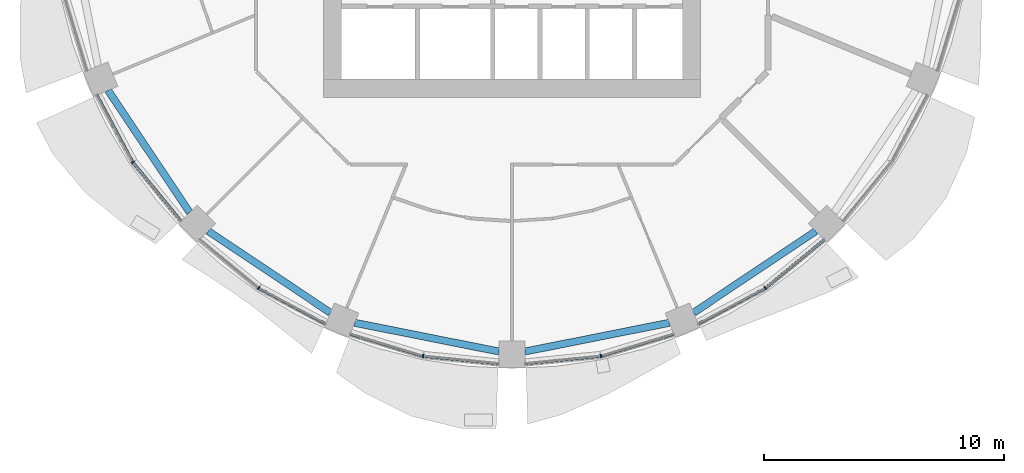
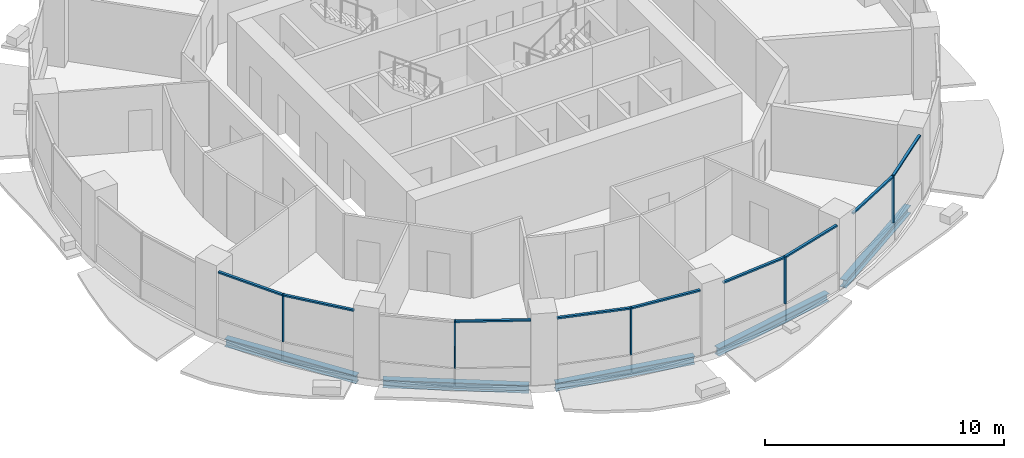
# One storey, part 2 of 14: 14 members, 5 beams, 5 elements without a shape of their own.
"""IFC4 building model written with IfcOpenShell, lengths in metres."""

from ifc_helpers import new_model, si_unit, direction, frame, origin, origin_2d, place, context, subcontext, project, spatial, rectangle, i_section, extrude, material, material_profile, profile_set, type_object, element, aggregate, save


model = new_model("IFC4")

# Units and contexts
model_context = context("Model", 3, precision=1e-05, world=origin(), true_north=direction((0.0, 1.0)))
body_context = subcontext(model_context, "Body", "Model", "MODEL_VIEW")
ifc_project = project(units=[si_unit("LENGTHUNIT", "METRE"), si_unit("AREAUNIT", "SQUARE_METRE"), si_unit("VOLUMEUNIT", "CUBIC_METRE"), si_unit("PLANEANGLEUNIT", "RADIAN"), si_unit("MASSUNIT", "GRAM", prefix="KILO")], contexts=[model_context])

# Site, building, storey
site_placement = place(None, origin())
site = spatial("IfcSite", under=ifc_project, at=site_placement, CompositionType="ELEMENT")
building_placement = place(site_placement, origin())
building = spatial("IfcBuilding", under=site, at=building_placement, Name="Polderwave Tower", CompositionType="ELEMENT")
storey_placement = place(building_placement, frame((0.0, 0.0, 105.60009765625)))
storey = spatial("IfcBuildingStorey", under=building, at=storey_placement, Name="L27", CompositionType="ELEMENT", Elevation=105.60009765625)

# Curtain wall, member
ifc_material_1 = material(Name="Aluminium 6063-T6 and glass", Category="aluminium")
curtain_wall_type = type_object("IfcCurtainWallType", Name="Growing floor ribbon glazing wall", PredefinedType="NOTDEFINED", material=ifc_material_1)
curtain_wall_1_placement = place(storey_placement, origin())
curtain_wall_1 = element("IfcCurtainWall", 1, at=curtain_wall_1_placement, inside=storey, type_object=curtain_wall_type, Name="CW2 L27 09", PredefinedType="NOTDEFINED")
ifc_material_2 = material(Name="Aluminium 6063-T6", Category="aluminium")
ifc_material_profile_1 = material_profile(ifc_material_2, rectangle(XDim=0.14990234375, YDim=0.06005859375, at=origin_2d()), Name="AL 60x150")
ifc_profile_set_1 = profile_set([ifc_material_profile_1], Name="Aluminium 6063-T6")
member_type_1 = type_object("IfcMemberType", Name="Growing floor ribbon glazing mullion 60x150", PredefinedType="MULLION", material=ifc_profile_set_1)
member_1_placement = place(storey_placement, frame((-15.822998046875, -10.572998046875, 0.89990234375), z_axis=(0.0, 0.0, 1.0), x_axis=(0.831459915646, 0.555584744817, 0.0)))
member_1 = element("IfcMember", 2, at=member_1_placement, type_object=member_type_1, Name="CW2 mullion 1", PredefinedType="MULLION", context=body_context, shape_type="SweptSolid", body=[
    extrude(rectangle(XDim=0.14990234375, YDim=0.06005859375, at=origin_2d()), origin(), (0.0, 0.0, 1.0), 2.39990234375),
])

curtain_wall_2_placement = place(storey_placement, origin())
curtain_wall_2 = element("IfcCurtainWall", 3, at=curtain_wall_2_placement, inside=storey, type_object=curtain_wall_type, Name="CW2 L27 10", PredefinedType="NOTDEFINED")
member_2_placement = place(storey_placement, frame((-10.572998046875, -15.822998046875, 0.89990234375), z_axis=(0.0, 0.0, 1.0), x_axis=(0.555584744817, 0.831459915646, 0.0)))
member_2 = element("IfcMember", 4, at=member_2_placement, type_object=member_type_1, Name="CW2 mullion 1", PredefinedType="MULLION", context=body_context, shape_type="SweptSolid", body=[
    extrude(rectangle(XDim=0.14990234375, YDim=0.06005859375, at=origin_2d()), origin(), (0.0, 0.0, 1.0), 2.39990234375),
])

curtain_wall_3_placement = place(storey_placement, origin())
curtain_wall_3 = element("IfcCurtainWall", 5, at=curtain_wall_3_placement, inside=storey, type_object=curtain_wall_type, Name="CW2 L27 11", PredefinedType="NOTDEFINED")
member_3_placement = place(storey_placement, frame((-3.712890625, -18.6640625, 0.89990234375), z_axis=(0.0, 0.0, 1.0), x_axis=(0.195092033809, 0.980784939905, 0.0)))
member_3 = element("IfcMember", 6, at=member_3_placement, type_object=member_type_1, Name="CW2 mullion 1", PredefinedType="MULLION", context=body_context, shape_type="SweptSolid", body=[
    extrude(rectangle(XDim=0.14990234375, YDim=0.06005859375, at=origin_2d()), origin(), (0.0, 0.0, 1.0), 2.39990234375),
])

curtain_wall_4_placement = place(storey_placement, origin())
curtain_wall_4 = element("IfcCurtainWall", 7, at=curtain_wall_4_placement, inside=storey, type_object=curtain_wall_type, Name="CW2 L27 12", PredefinedType="NOTDEFINED")
member_4_placement = place(storey_placement, frame((3.712890625, -18.6640625, 0.89990234375), z_axis=(0.0, 0.0, 1.0), x_axis=(-0.195092033809, 0.980784939905, 0.0)))
member_4 = element("IfcMember", 8, at=member_4_placement, type_object=member_type_1, Name="CW2 mullion 1", PredefinedType="MULLION", context=body_context, shape_type="SweptSolid", body=[
    extrude(rectangle(XDim=0.14990234375, YDim=0.06005859375, at=origin_2d()), origin(), (0.0, 0.0, 1.0), 2.39990234375),
])

curtain_wall_5_placement = place(storey_placement, origin())
curtain_wall_5 = element("IfcCurtainWall", 9, at=curtain_wall_5_placement, inside=storey, type_object=curtain_wall_type, Name="CW2 L27 13", PredefinedType="NOTDEFINED")
member_5_placement = place(storey_placement, frame((10.572998046875, -15.822998046875, 0.89990234375), z_axis=(0.0, 0.0, 1.0), x_axis=(-0.555584744817, 0.831459915646, 0.0)))
member_5 = element("IfcMember", 10, at=member_5_placement, type_object=member_type_1, Name="CW2 mullion 1", PredefinedType="MULLION", context=body_context, shape_type="SweptSolid", body=[
    extrude(rectangle(XDim=0.14990234375, YDim=0.06005859375, at=origin_2d()), origin(), (0.0, 0.0, 1.0), 2.39990234375),
])

# Member
ifc_material_profile_2 = material_profile(ifc_material_2, rectangle(XDim=0.1201171875, YDim=0.080078125, at=origin_2d()), Name="AL 80x120")
ifc_profile_set_2 = profile_set([ifc_material_profile_2], Name="Aluminium 6063-T6")
member_type_2 = type_object("IfcMemberType", Name="Growing floor ribbon glazing transom 80x120", PredefinedType="USERDEFINED", material=ifc_profile_set_2)
member_6_placement = place(storey_placement, frame((-17.321044921875, -7.77001953125, 3.260009765625), z_axis=(0.471368950997, -0.88193611562, 0.0), x_axis=(0.88193611562, 0.471368950997, 0.0)))
member_6 = element("IfcMember", 11, at=member_6_placement, type_object=member_type_2, Name="CW2 transom 1", ObjectType="TRANSOM", PredefinedType="USERDEFINED", context=body_context, shape_type="SweptSolid", body=[
    extrude(rectangle(XDim=0.1201171875, YDim=0.080078125, at=origin_2d()), origin(), (0.0, 0.0, 1.0), 3.14794921875),
])

member_7_placement = place(storey_placement, frame((-15.803955078125, -10.59619140625, 3.260009765625), z_axis=(0.634483003965, -0.77293681351, 0.0), x_axis=(0.77293681351, 0.634483003965, 0.0)))
member_7 = element("IfcMember", 12, at=member_7_placement, type_object=member_type_2, Name="CW2 transom 2", ObjectType="TRANSOM", PredefinedType="USERDEFINED", context=body_context, shape_type="SweptSolid", body=[
    extrude(rectangle(XDim=0.1201171875, YDim=0.080078125, at=origin_2d()), origin(), (0.0, 0.0, 1.0), 3.1474609375),
])

aggregate(curtain_wall_1, [member_1, member_6, member_7])

member_8_placement = place(storey_placement, frame((-10.54638671875, -15.837158203125, 3.260009765625), z_axis=(0.88193611562, -0.471368950997, 0.0), x_axis=(0.471368950997, 0.88193611562, 0.0)))
member_8 = element("IfcMember", 13, at=member_8_placement, type_object=member_type_2, Name="CW2 transom 2", ObjectType="TRANSOM", PredefinedType="USERDEFINED", context=body_context, shape_type="SweptSolid", body=[
    extrude(rectangle(XDim=0.1201171875, YDim=0.080078125, at=origin_2d()), origin(), (0.0, 0.0, 1.0), 3.14794921875),
])

aggregate(curtain_wall_2, [member_2, member_8])

member_9_placement = place(storey_placement, frame((-6.75390625, -17.741943359375, 3.260009765625), z_axis=(0.956976770627, -0.290164540356, 0.0), x_axis=(0.290164540356, 0.956976770627, 0.0)))
member_9 = element("IfcMember", 14, at=member_9_placement, type_object=member_type_2, Name="CW2 transom 1", ObjectType="TRANSOM", PredefinedType="USERDEFINED", context=body_context, shape_type="SweptSolid", body=[
    extrude(rectangle(XDim=0.1201171875, YDim=0.080078125, at=origin_2d()), origin(), (0.0, 0.0, 1.0), 3.147705078125),
])

member_10_placement = place(storey_placement, frame((-3.68310546875, -18.6669921875, 3.260009765625), z_axis=(0.995169132792, -0.098175338745, 0.0), x_axis=(0.098175338745, 0.995169132792, 0.0)))
member_10 = element("IfcMember", 15, at=member_10_placement, type_object=member_type_2, Name="CW2 transom 2", ObjectType="TRANSOM", PredefinedType="USERDEFINED", context=body_context, shape_type="SweptSolid", body=[
    extrude(rectangle(XDim=0.1201171875, YDim=0.080078125, at=origin_2d()), origin(), (0.0, 0.0, 1.0), 3.148193359375),
])

aggregate(curtain_wall_3, [member_3, member_9, member_10])

member_11_placement = place(storey_placement, frame((0.550048828125, -18.97607421875, 3.260009765625), z_axis=(0.995169132792, 0.098175338745, 0.0), x_axis=(-0.098175338745, 0.995169132792, 0.0)))
member_11 = element("IfcMember", 16, at=member_11_placement, type_object=member_type_2, Name="CW2 transom 1", ObjectType="TRANSOM", PredefinedType="USERDEFINED", context=body_context, shape_type="SweptSolid", body=[
    extrude(rectangle(XDim=0.1201171875, YDim=0.080078125, at=origin_2d()), origin(), (0.0, 0.0, 1.0), 3.148193359375),
])

member_12_placement = place(storey_placement, frame((3.74169921875, -18.6552734375, 3.260009765625), z_axis=(0.956976770627, 0.290164540356, 0.0), x_axis=(-0.290164540356, 0.956976770627, 0.0)))
member_12 = element("IfcMember", 17, at=member_12_placement, type_object=member_type_2, Name="CW2 transom 2", ObjectType="TRANSOM", PredefinedType="USERDEFINED", context=body_context, shape_type="SweptSolid", body=[
    extrude(rectangle(XDim=0.1201171875, YDim=0.080078125, at=origin_2d()), origin(), (0.0, 0.0, 1.0), 3.147705078125),
])

aggregate(curtain_wall_4, [member_4, member_11, member_12])

member_13_placement = place(storey_placement, frame((7.77001953125, -17.321044921875, 3.260009765625), z_axis=(0.88193611562, 0.471368950997, 0.0), x_axis=(-0.471368950997, 0.88193611562, 0.0)))
member_13 = element("IfcMember", 18, at=member_13_placement, type_object=member_type_2, Name="CW2 transom 1", ObjectType="TRANSOM", PredefinedType="USERDEFINED", context=body_context, shape_type="SweptSolid", body=[
    extrude(rectangle(XDim=0.1201171875, YDim=0.080078125, at=origin_2d()), origin(), (0.0, 0.0, 1.0), 3.14794921875),
])

member_14_placement = place(storey_placement, frame((10.59619140625, -15.803955078125, 3.260009765625), z_axis=(0.77293681351, 0.634483003965, 0.0), x_axis=(-0.634483003965, 0.77293681351, 0.0)))
member_14 = element("IfcMember", 19, at=member_14_placement, type_object=member_type_2, Name="CW2 transom 2", ObjectType="TRANSOM", PredefinedType="USERDEFINED", context=body_context, shape_type="SweptSolid", body=[
    extrude(rectangle(XDim=0.1201171875, YDim=0.080078125, at=origin_2d()), origin(), (0.0, 0.0, 1.0), 3.1474609375),
])

aggregate(curtain_wall_5, [member_5, member_13, member_14])

# Beams
ifc_material_3 = material(Name="Steel S355", Category="steel")
ifc_material_profile_3 = material_profile(ifc_material_3, i_section(OverallWidth=0.300048828125, OverallDepth=0.39990234375, WebThickness=0.013427734375, FlangeThickness=0.02392578125, at=origin_2d()), Name="HE 400 B")
ifc_profile_set_3 = profile_set([ifc_material_profile_3], Name="Steel S355")
beam_type = type_object("IfcBeamType", Name="RING BEAM HE 400 B", PredefinedType="BEAM", material=ifc_profile_set_3)
for number, where, z_axis, x_axis, name in (
    (20, (-16.854248046875, -7.576416015625, -0.550048828125), (0.555554909675, -0.83147985083, 0.0), (0.83147985083, 0.555554909675, 0.0), "ST-RB-L27-09"),
    (21, (-12.671875, -13.44970703125, -0.550048828125), (0.83147985083, -0.555554909675, 0.0), (0.555554909675, 0.83147985083, 0.0), "ST-RB-L27-10"),
):
    element("IfcBeam", number, at=place(storey_placement, frame(where, z_axis=z_axis, x_axis=x_axis)), inside=storey, type_object=beam_type, Name=name, PredefinedType="BEAM", context=body_context, shape_type="SweptSolid", body=[
        extrude(i_section(OverallWidth=0.300048828125, OverallDepth=0.39990234375, WebThickness=0.013427734375, FlangeThickness=0.02392578125, at=origin_2d()), origin(), (0.0, 0.0, 1.0), 6.128173828125),
    ])
for number, where, z_axis, x_axis, name in (
    (22, (-6.560302734375, -17.275146484375, -0.550048828125), (0.980783943751, -0.195097041699, 0.0), (0.195097041699, 0.980783943751, 0.0), "ST-RB-L27-11"),
    (23, (0.550048828125, -18.470703125, -0.550048828125), (0.980783943751, 0.195097041699, 0.0), (-0.195097041699, 0.980783943751, 0.0), "ST-RB-L27-12"),
):
    element("IfcBeam", number, at=place(storey_placement, frame(where, z_axis=z_axis, x_axis=x_axis)), inside=storey, type_object=beam_type, Name=name, PredefinedType="BEAM", context=body_context, shape_type="SweptSolid", body=[
        extrude(i_section(OverallWidth=0.300048828125, OverallDepth=0.39990234375, WebThickness=0.013427734375, FlangeThickness=0.02392578125, at=origin_2d()), origin(), (0.0, 0.0, 1.0), 6.1279296875),
    ])
beam_placement = place(storey_placement, frame((7.576416015625, -16.854248046875, -0.550048828125), z_axis=(0.83147985083, 0.555554909675, 0.0), x_axis=(-0.555554909675, 0.83147985083, 0.0)))
element("IfcBeam", 24, at=beam_placement, inside=storey, type_object=beam_type, Name="ST-RB-L27-13", PredefinedType="BEAM", context=body_context, shape_type="SweptSolid", body=[
    extrude(i_section(OverallWidth=0.300048828125, OverallDepth=0.39990234375, WebThickness=0.013427734375, FlangeThickness=0.02392578125, at=origin_2d()), origin(), (0.0, 0.0, 1.0), 6.128173828125),
])

save(model, "model.ifc")
